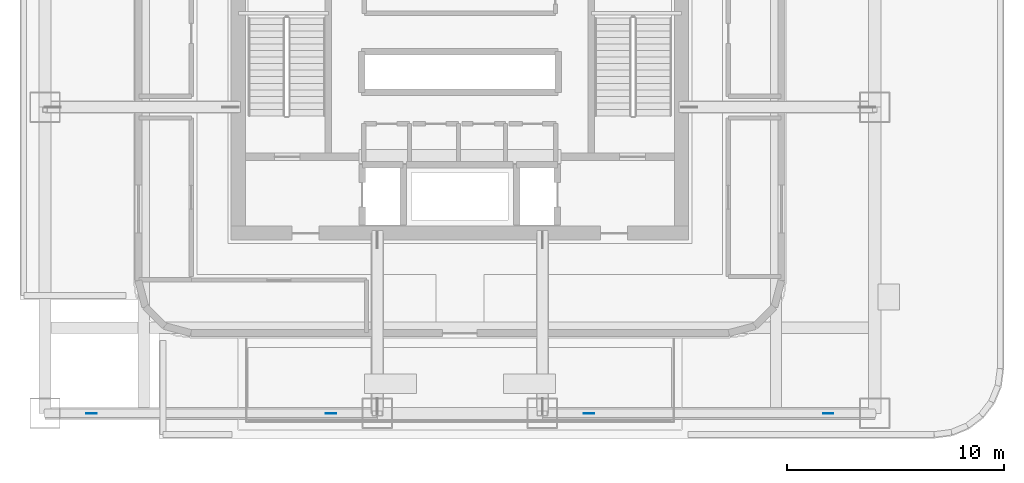
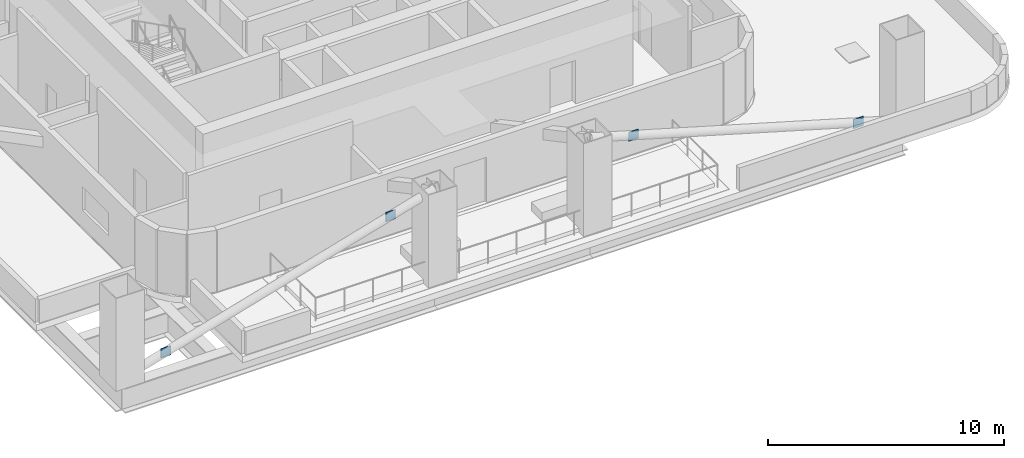
# One storey, part 3 of 10: 4 plates.
"""IFC4 building model written with IfcOpenShell, lengths in metres."""

from ifc_helpers import new_model, si_unit, direction, frame, origin, origin_2d, place, context, subcontext, project, spatial, rectangle, extrude, material, layer, layer_set, type_object, element, save


model = new_model("IFC4")

# Units and contexts
model_context = context("Model", 3, precision=1e-05, world=origin(), true_north=direction((0.0, 1.0)))
body_context = subcontext(model_context, "Body", "Model", "MODEL_VIEW")
ifc_project = project(units=[si_unit("LENGTHUNIT", "METRE"), si_unit("AREAUNIT", "SQUARE_METRE"), si_unit("VOLUMEUNIT", "CUBIC_METRE"), si_unit("PLANEANGLEUNIT", "RADIAN"), si_unit("MASSUNIT", "GRAM", prefix="KILO")], contexts=[model_context])

# Site, building, storey
site_placement = place(None, origin())
site = spatial("IfcSite", under=ifc_project, at=site_placement, CompositionType="ELEMENT")
building_placement = place(site_placement, origin())
building = spatial("IfcBuilding", under=site, at=building_placement, Name="Punatoya Terracotta Tower", CompositionType="ELEMENT")
storey_placement = place(building_placement, frame((0.0, 0.0, 125.39990234375)))
storey = spatial("IfcBuildingStorey", under=building, at=storey_placement, Name="L29", CompositionType="ELEMENT", Elevation=125.39990234375)

# Plates
ifc_material = material(Name="Steel S460", Category="steel")
ifc_layer = layer(ifc_material, 0.031982421875)
ifc_layer_set = layer_set([ifc_layer], Name="Steel S460")
plate_type = type_object("IfcPlateType", Name="PLT-END-32", PredefinedType="USERDEFINED", material=ifc_layer_set)
for number, where, z_axis, x_axis, name in (
    (1, (-16.9580078125, -17.5, 0.401611328125), (0.0, 0.0, 1.0), (1.0, 0.0, 0.0), "L29 Ring Strut NST-1 End Plate 1"),
    (2, (-5.94189453125, -17.5, 3.598388671875), (0.0, 0.0, 1.0), (1.0, 0.0, 0.0), "L29 Ring Strut NST-1 End Plate 2"),
    (3, (5.94189453125, -17.5, 3.598388671875), (0.0, 0.0, 1.0), (1.0, 0.0, 0.0), "L29 Ring Strut NST-2 End Plate 1"),
    (4, (16.9580078125, -17.5, 0.401611328125), (0.0, 0.0, 1.0), (1.0, 0.0, 0.0), "L29 Ring Strut NST-2 End Plate 2"),
):
    element("IfcPlate", number, at=place(storey_placement, frame(where, z_axis=z_axis, x_axis=x_axis)), inside=storey, type_object=plate_type, Name=name, ObjectType="FLANGE_PLATE", PredefinedType="USERDEFINED", context=body_context, shape_type="SweptSolid", body=[
        extrude(rectangle(XDim=0.47998046875, YDim=0.031982421875, at=origin_2d()), origin(), (0.0, 0.0, 1.0), 0.47998046875),
    ])

save(model, "model.ifc")
